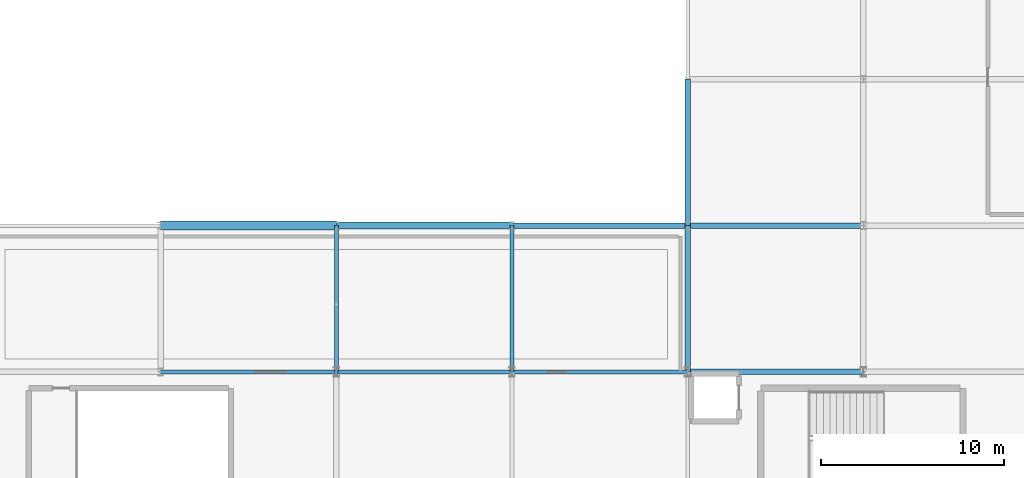
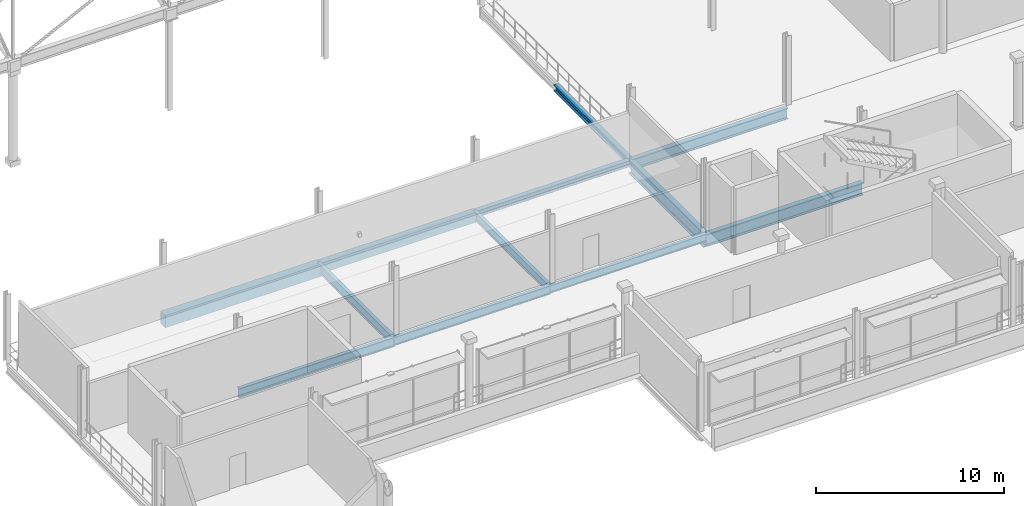
# One storey, part 76 of 193: 12 beams.
"""IFC4 building model written with IfcOpenShell, lengths in metres."""

from ifc_helpers import new_model, si_unit, direction, frame, origin, origin_2d, place, context, subcontext, project, spatial, rectangle, i_section, extrude, material, material_profile, profile_set, type_object, element, save


model = new_model("IFC4")

# Units and contexts
model_context = context("Model", 3, precision=1e-05, world=origin(), true_north=direction((0.0, 1.0)))
body_context = subcontext(model_context, "Body", "Model", "MODEL_VIEW")
ifc_project = project(units=[si_unit("LENGTHUNIT", "METRE"), si_unit("AREAUNIT", "SQUARE_METRE"), si_unit("VOLUMEUNIT", "CUBIC_METRE"), si_unit("PLANEANGLEUNIT", "RADIAN"), si_unit("MASSUNIT", "GRAM", prefix="KILO")], contexts=[model_context])

# Site, building, storey
site_placement = place(None, origin())
site = spatial("IfcSite", under=ifc_project, at=site_placement, CompositionType="ELEMENT")
building_placement = place(site_placement, origin())
building = spatial("IfcBuilding", under=site, at=building_placement, Name="Danafjord Basin Convention Centre", CompositionType="ELEMENT")
storey_placement = place(building_placement, frame((0.0, 0.0, 11.39990234375)))
storey = spatial("IfcBuildingStorey", under=building, at=storey_placement, Name="L02", CompositionType="ELEMENT", Elevation=11.39990234375)

# Beams
ifc_material_1 = material(Name="Steel S355", Category="steel")
ifc_material_profile_1 = material_profile(ifc_material_1, i_section(OverallWidth=0.300048828125, OverallDepth=0.699951171875, WebThickness=0.01708984375, FlangeThickness=0.031982421875, FilletRadius=0.027099609375, at=origin_2d()), Name="HEB 700")
ifc_profile_set_1 = profile_set([ifc_material_profile_1], Name="Steel S355")
beam_type_1 = type_object("IfcBeamType", Name="BEAM-BM-HEB700", PredefinedType="BEAM", material=ifc_profile_set_1)
beam_1_placement = place(storey_placement, frame((182.39990234375, 24.0, -0.579833984375), z_axis=(1.0, 0.0, 0.0), x_axis=(0.0, 1.0, 0.0)))
element("IfcBeam", 1, at=beam_1_placement, inside=storey, type_object=beam_type_1, Name="L02 girder BM-HEB700", PredefinedType="BEAM", context=body_context, shape_type="SweptSolid", body=[
    extrude(i_section(OverallWidth=0.300048828125, OverallDepth=0.699951171875, WebThickness=0.01708984375, FlangeThickness=0.031982421875, FilletRadius=0.027099609375, at=origin_2d()), origin(), (0.0, 0.0, 1.0), 9.60009765625),
])
ifc_material_profile_2 = material_profile(ifc_material_1, i_section(OverallWidth=0.300048828125, OverallDepth=0.800048828125, WebThickness=0.017578125, FlangeThickness=0.032958984375, FilletRadius=0.030029296875, at=origin_2d()), Name="HEB 800")
ifc_profile_set_2 = profile_set([ifc_material_profile_2], Name="Steel S355")
beam_type_2 = type_object("IfcBeamType", Name="BEAM-BM-HEB800", PredefinedType="BEAM", material=ifc_profile_set_2)
beam_2_placement = place(storey_placement, frame((182.39990234375, 16.0, -0.6298828125), z_axis=(1.0, 0.0, 0.0), x_axis=(0.0, 1.0, 0.0)))
element("IfcBeam", 2, at=beam_2_placement, inside=storey, type_object=beam_type_2, Name="L02 girder BM-HEB800", PredefinedType="BEAM", context=body_context, shape_type="SweptSolid", body=[
    extrude(i_section(OverallWidth=0.300048828125, OverallDepth=0.800048828125, WebThickness=0.017578125, FlangeThickness=0.032958984375, FilletRadius=0.030029296875, at=origin_2d()), origin(), (0.0, 0.0, 1.0), 9.60009765625),
])
ifc_material_profile_3 = material_profile(ifc_material_1, i_section(OverallWidth=0.300048828125, OverallDepth=0.89990234375, WebThickness=0.0185546875, FlangeThickness=0.034912109375, FilletRadius=0.030029296875, at=origin_2d()), Name="HEB 900")
ifc_profile_set_3 = profile_set([ifc_material_profile_3], Name="Steel S355")
beam_type_3 = type_object("IfcBeamType", Name="BEAM-BM-HEB900", PredefinedType="BEAM", material=ifc_profile_set_3)
beam_3_placement = place(storey_placement, frame((182.39990234375, 16.0, -0.679931640625), z_axis=(0.0, 1.0, 0.0), x_axis=(-1.0, 0.0, 0.0)))
element("IfcBeam", 3, at=beam_3_placement, inside=storey, type_object=beam_type_3, Name="L02 transverse girder BM-HEB900", PredefinedType="BEAM", context=body_context, shape_type="SweptSolid", body=[
    extrude(i_section(OverallWidth=0.300048828125, OverallDepth=0.89990234375, WebThickness=0.0185546875, FlangeThickness=0.034912109375, FilletRadius=0.030029296875, at=origin_2d()), origin(), (0.0, 0.0, 1.0), 8.0),
])
ifc_material_profile_4 = material_profile(ifc_material_1, i_section(OverallWidth=0.199951171875, OverallDepth=0.5, WebThickness=0.01025390625, FlangeThickness=0.01611328125, FilletRadius=0.02099609375, at=origin_2d()), Name="IPE 500")
ifc_profile_set_4 = profile_set([ifc_material_profile_4], Name="Steel S355")
beam_type_4 = type_object("IfcBeamType", Name="BEAM-BM-IPE500", PredefinedType="BEAM", material=ifc_profile_set_4)
beam_4_placement = place(storey_placement, frame((172.800048828125, 16.0, -0.47998046875), z_axis=(1.0, 0.0, 0.0), x_axis=(0.0, 1.0, 0.0)))
element("IfcBeam", 4, at=beam_4_placement, inside=storey, type_object=beam_type_4, Name="L02 girder BM-IPE500", PredefinedType="BEAM", context=body_context, shape_type="SweptSolid", body=[
    extrude(i_section(OverallWidth=0.199951171875, OverallDepth=0.5, WebThickness=0.01025390625, FlangeThickness=0.01611328125, FilletRadius=0.02099609375, at=origin_2d()), origin(), (0.0, 0.0, 1.0), 9.599853515625),
])
ifc_material_profile_5 = material_profile(ifc_material_1, i_section(OverallWidth=0.2099609375, OverallDepth=0.550048828125, WebThickness=0.010986328125, FlangeThickness=0.01708984375, FilletRadius=0.02392578125, at=origin_2d()), Name="IPE 550")
ifc_profile_set_5 = profile_set([ifc_material_profile_5], Name="Steel S355")
beam_type_5 = type_object("IfcBeamType", Name="BEAM-BM-IPE550", PredefinedType="BEAM", material=ifc_profile_set_5)
beam_5_placement = place(storey_placement, frame((163.199951171875, 16.0, -0.5048828125), z_axis=(1.0, 0.0, 0.0), x_axis=(0.0, 1.0, 0.0)))
element("IfcBeam", 5, at=beam_5_placement, inside=storey, type_object=beam_type_5, Name="L02 girder BM-IPE550", PredefinedType="BEAM", context=body_context, shape_type="SweptSolid", body=[
    extrude(i_section(OverallWidth=0.2099609375, OverallDepth=0.550048828125, WebThickness=0.010986328125, FlangeThickness=0.01708984375, FilletRadius=0.02392578125, at=origin_2d()), origin(), (0.0, 0.0, 1.0), 9.60009765625),
])
beam_6_placement = place(storey_placement, frame((172.800048828125, 16.0, -0.5048828125), z_axis=(0.0, 1.0, 0.0), x_axis=(-1.0, 0.0, 0.0)))
element("IfcBeam", 6, at=beam_6_placement, inside=storey, type_object=beam_type_5, Name="L02 transverse girder BM-IPE550", PredefinedType="BEAM", context=body_context, shape_type="SweptSolid", body=[
    extrude(i_section(OverallWidth=0.2099609375, OverallDepth=0.550048828125, WebThickness=0.010986328125, FlangeThickness=0.01708984375, FilletRadius=0.02392578125, at=origin_2d()), origin(), (0.0, 0.0, 1.0), 8.0),
])
ifc_material_profile_6 = material_profile(ifc_material_1, i_section(OverallWidth=0.219970703125, OverallDepth=0.60009765625, WebThickness=0.011962890625, FlangeThickness=0.01904296875, FilletRadius=0.02392578125, at=origin_2d()), Name="IPE 600")
ifc_profile_set_6 = profile_set([ifc_material_profile_6], Name="Steel S355")
beam_type_6 = type_object("IfcBeamType", Name="BEAM-BM-IPE600", PredefinedType="BEAM", material=ifc_profile_set_6)
beam_7_placement = place(storey_placement, frame((153.60009765625, 16.0, -0.52978515625), z_axis=(1.0, 0.0, 0.0), x_axis=(0.0, 1.0, 0.0)))
element("IfcBeam", 7, at=beam_7_placement, inside=storey, type_object=beam_type_6, Name="L02 girder BM-IPE600", PredefinedType="BEAM", context=body_context, shape_type="SweptSolid", body=[
    extrude(i_section(OverallWidth=0.219970703125, OverallDepth=0.60009765625, WebThickness=0.011962890625, FlangeThickness=0.01904296875, FilletRadius=0.02392578125, at=origin_2d()), origin(), (0.0, 0.0, 1.0), 9.599853515625),
])
beam_8_placement = place(storey_placement, frame((163.199951171875, 16.0, -0.52978515625), z_axis=(0.0, 1.0, 0.0), x_axis=(-1.0, 0.0, 0.0)))
element("IfcBeam", 8, at=beam_8_placement, inside=storey, type_object=beam_type_6, Name="L02 transverse girder BM-IPE600", PredefinedType="BEAM", context=body_context, shape_type="SweptSolid", body=[
    extrude(i_section(OverallWidth=0.219970703125, OverallDepth=0.60009765625, WebThickness=0.011962890625, FlangeThickness=0.01904296875, FilletRadius=0.02392578125, at=origin_2d()), origin(), (0.0, 0.0, 1.0), 8.0),
])
ifc_material_profile_7 = material_profile(ifc_material_1, i_section(OverallWidth=0.300048828125, OverallDepth=0.39990234375, WebThickness=0.013427734375, FlangeThickness=0.02392578125, FilletRadius=0.027099609375, at=origin_2d()), Name="HEB 400")
ifc_profile_set_7 = profile_set([ifc_material_profile_7], Name="Steel S355")
beam_type_7 = type_object("IfcBeamType", Name="BEAM-SP-HEB400", PredefinedType="SPANDREL", material=ifc_profile_set_7)
beam_9_placement = place(storey_placement, frame((172.800048828125, 24.0, -0.429931640625), z_axis=(1.0, 0.0, 0.0), x_axis=(0.0, 1.0, 0.0)))
element("IfcBeam", 9, at=beam_9_placement, inside=storey, type_object=beam_type_7, Name="L02 girder SP-HEB400", PredefinedType="SPANDREL", context=body_context, shape_type="SweptSolid", body=[
    extrude(i_section(OverallWidth=0.300048828125, OverallDepth=0.39990234375, WebThickness=0.013427734375, FlangeThickness=0.02392578125, FilletRadius=0.027099609375, at=origin_2d()), origin(), (0.0, 0.0, 1.0), 9.599853515625),
])
beam_10_placement = place(storey_placement, frame((182.39990234375, 24.0, -0.429931640625), z_axis=(0.0, 1.0, 0.0), x_axis=(-1.0, 0.0, 0.0)))
element("IfcBeam", 10, at=beam_10_placement, inside=storey, type_object=beam_type_7, Name="L02 transverse girder SP-HEB400", PredefinedType="SPANDREL", context=body_context, shape_type="SweptSolid", body=[
    extrude(i_section(OverallWidth=0.300048828125, OverallDepth=0.39990234375, WebThickness=0.013427734375, FlangeThickness=0.02392578125, FilletRadius=0.027099609375, at=origin_2d()), origin(), (0.0, 0.0, 1.0), 8.0),
])
ifc_material_2 = material(Name="Precast concrete C45/55", Category="concrete")
ifc_material_profile_8 = material_profile(ifc_material_2, rectangle(XDim=0.39990234375, YDim=0.64990234375, at=origin_2d()), Name="PCB 400x650")
ifc_profile_set_8 = profile_set([ifc_material_profile_8], Name="Precast concrete C45/55")
beam_type_8 = type_object("IfcBeamType", Name="BEAM-SP-PCB650", PredefinedType="SPANDREL", material=ifc_profile_set_8)
beam_11_placement = place(storey_placement, frame((163.199951171875, 24.0, -0.554931640625), z_axis=(1.0, 0.0, 0.0), x_axis=(0.0, 1.0, 0.0)))
element("IfcBeam", 11, at=beam_11_placement, inside=storey, type_object=beam_type_8, Name="L02 girder SP-PCB650", PredefinedType="SPANDREL", context=body_context, shape_type="SweptSolid", body=[
    extrude(rectangle(XDim=0.39990234375, YDim=0.64990234375, at=origin_2d()), origin(), (0.0, 0.0, 1.0), 9.60009765625),
])
ifc_material_profile_9 = material_profile(ifc_material_2, rectangle(XDim=0.5, YDim=0.800048828125, at=origin_2d()), Name="PCB 500x800")
ifc_profile_set_9 = profile_set([ifc_material_profile_9], Name="Precast concrete C45/55")
beam_type_9 = type_object("IfcBeamType", Name="BEAM-SP-PCB800", PredefinedType="SPANDREL", material=ifc_profile_set_9)
beam_12_placement = place(storey_placement, frame((153.60009765625, 24.0, -0.6298828125), z_axis=(1.0, 0.0, 0.0), x_axis=(0.0, 1.0, 0.0)))
element("IfcBeam", 12, at=beam_12_placement, inside=storey, type_object=beam_type_9, Name="L02 girder SP-PCB800", PredefinedType="SPANDREL", context=body_context, shape_type="SweptSolid", body=[
    extrude(rectangle(XDim=0.5, YDim=0.800048828125, at=origin_2d()), origin(), (0.0, 0.0, 1.0), 9.599853515625),
])

save(model, "model.ifc")
